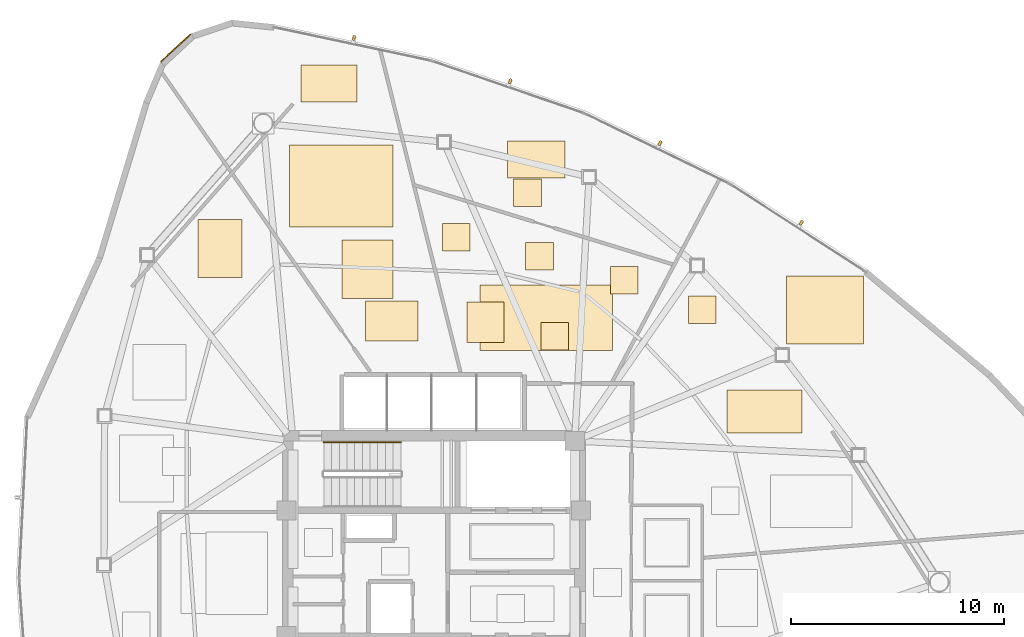
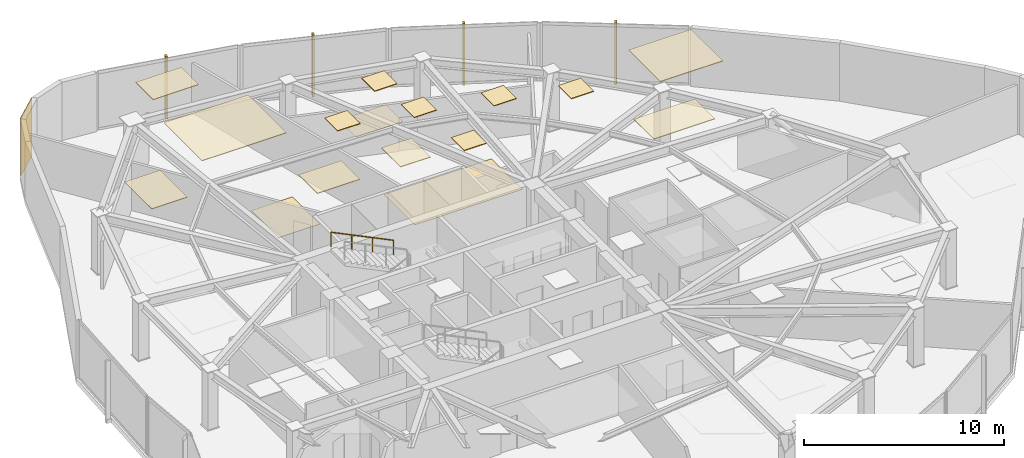
# One storey, part 17 of 17: 17 coverings, 4 shading devices, 1 railing.
"""IFC4 building model written with IfcOpenShell, lengths in metres."""

from ifc_helpers import new_model, si_unit, direction, frame, origin, origin_2d, place, context, subcontext, project, spatial, polyline, rectangle, outline, extrude, source, transform, mapped, material, layer, layer_set, type_object, type_shapes, element, save


model = new_model("IFC4")

# Units and contexts
model_context = context("Model", 3, precision=1e-05, world=origin(), true_north=direction((0.0, 1.0)))
body_context = subcontext(model_context, "Body", "Model", "MODEL_VIEW")
ifc_project = project(units=[si_unit("LENGTHUNIT", "METRE"), si_unit("AREAUNIT", "SQUARE_METRE"), si_unit("VOLUMEUNIT", "CUBIC_METRE"), si_unit("PLANEANGLEUNIT", "RADIAN"), si_unit("MASSUNIT", "GRAM", prefix="KILO")], contexts=[model_context])

# Site, building, storey
site_placement = place(None, origin())
site = spatial("IfcSite", under=ifc_project, at=site_placement, CompositionType="ELEMENT")
building_placement = place(site_placement, origin())
building = spatial("IfcBuilding", under=site, at=building_placement, Name="Tavelor Broadcast Tower", CompositionType="ELEMENT")
storey_placement = place(building_placement, frame((0.0, 0.0, 161.800048828125)))
storey = spatial("IfcBuildingStorey", under=building, at=storey_placement, Name="L38", CompositionType="ELEMENT", Elevation=161.800048828125)

# Covering
ifc_material_1 = material(Name="Copper-Bronze Anodized Aluminium", Category="aluminium")
ifc_layer_1 = layer(ifc_material_1, 0.050048828125)
ifc_layer_set_1 = layer_set([ifc_layer_1], Name="Copper-Bronze Anodized Aluminium")
covering_type_1 = type_object("IfcCoveringType", Name="Champagne-Bronze Corner Pier Metal Cladding 50 mm", PredefinedType="CLADDING", material=ifc_layer_set_1)
covering_1_placement = place(storey_placement, frame((37.909912109375, 69.615966796875, 0.02001953125), z_axis=(0.0, 0.0, 1.0), x_axis=(-0.734322509436, -0.678800745533, 0.0)))
element("IfcCovering", 1, at=covering_1_placement, inside=storey, type_object=covering_type_1, Name="L38 Champagne-Bronze Corner Cladding 03", PredefinedType="CLADDING", context=body_context, shape_type="SweptSolid", body=[
    extrude(rectangle(XDim=1.893798828125, YDim=0.050048828125, at=origin_2d()), origin(), (0.0, 0.0, 1.0), 3.510009765625),
])

# Railing
ifc_material_2 = material(Name="Steel S355", Category="steel")
railing_type = type_object("IfcRailingType", Name="Continuous Brushed Stainless Handrail 900 mm", PredefinedType="HANDRAIL", material=ifc_material_2)
railing_placement = place(storey_placement, frame((48.449951171875, 51.14990234375, 2.099853515625)))
element("IfcRailing", 2, at=railing_placement, inside=storey, type_object=railing_type, Name="L38 ST1 stair handrail 2", PredefinedType="HANDRAIL", context=body_context, shape_type="SweptSolid", body=[
    extrude(rectangle(XDim=0.048095703125, YDim=0.048095703125, at=origin_2d()), frame((0.0, 0.0, 0.8759765625), z_axis=(-0.899360859046, 0.0, 0.437207096483), x_axis=(0.0, -1.0, 0.0)), (0.0, 0.0, 1.0), 4.002685546875),
    extrude(rectangle(XDim=0.0419921875, YDim=0.0419921875, at=origin_2d()), origin(), (0.0, 0.0, 1.0), 0.851806640625),
    extrude(rectangle(XDim=0.0419921875, YDim=0.0419921875, at=origin_2d()), frame((-1.199951171875, 0.0, 0.583251953125)), (0.0, 0.0, 1.0), 0.851806640625),
    extrude(rectangle(XDim=0.0419921875, YDim=0.0419921875, at=origin_2d()), frame((-2.39990234375, 0.0, 1.166748046875)), (0.0, 0.0, 1.0), 0.851806640625),
    extrude(rectangle(XDim=0.0419921875, YDim=0.0419921875, at=origin_2d()), frame((-3.599853515625, 0.0, 1.75)), (0.0, 0.0, 1.0), 0.851806640625),
])

# Coverings
ifc_material_3 = material(Name="Acoustic Nylon Carpet Tile")
ifc_layer_2 = layer(ifc_material_3, 0.02001953125)
ifc_layer_set_2 = layer_set([ifc_layer_2], Name="Acoustic Nylon Carpet Tile")
covering_type_2 = type_object("IfcCoveringType", Name="Heavy-Duty Acoustic Broadcast Carpet Tile 20 mm", PredefinedType="FLOORING", material=ifc_layer_set_2)
covering_2_placement = place(storey_placement, origin())
element("IfcCovering", 3, at=covering_2_placement, inside=storey, type_object=covering_type_2, Name="L38 Broadcast Floor Finish 0564", PredefinedType="FLOORING", context=body_context, shape_type="SweptSolid", body=[
    extrude(outline(polyline([(45.705322265625, 57.868408203125), (48.085205078125, 57.868408203125), (48.085205078125, 60.608154296875), (45.705322265625, 60.608154296875), (45.705322265625, 57.868408203125)])), origin(), (0.0, 0.0, 1.0), 0.02001953125),
])
covering_3_placement = place(storey_placement, origin())
element("IfcCovering", 4, at=covering_3_placement, inside=storey, type_object=covering_type_2, Name="L38 Broadcast Floor Finish 0565", PredefinedType="FLOORING", context=body_context, shape_type="SweptSolid", body=[
    extrude(outline(polyline([(53.43994140625, 63.5244140625), (56.14990234375, 63.5244140625), (56.14990234375, 65.24609375), (53.43994140625, 65.24609375), (53.43994140625, 63.5244140625)])), origin(), (0.0, 0.0, 1.0), 0.02001953125),
])
covering_4_placement = place(storey_placement, origin())
element("IfcCovering", 5, at=covering_4_placement, inside=storey, type_object=covering_type_2, Name="L38 Broadcast Floor Finish 0567", PredefinedType="FLOORING", context=body_context, shape_type="SweptSolid", body=[
    extrude(outline(polyline([(52.162353515625, 55.43310546875), (58.364501953125, 55.43310546875), (58.364501953125, 58.5029296875), (52.162353515625, 58.5029296875), (52.162353515625, 55.43310546875)])), origin(), (0.0, 0.0, 1.0), 0.02001953125),
])
ifc_material_4 = material(Name="Acoustic Mineral Fibre Tile")
ifc_layer_3 = layer(ifc_material_4, 0.0400390625)
ifc_layer_set_3 = layer_set([ifc_layer_3], Name="Acoustic Mineral Fibre Tile")
covering_type_3 = type_object("IfcCoveringType", Name="Suspended Acoustic Mineral-Fibre Office Ceiling 40 mm", PredefinedType="CEILING", material=ifc_layer_set_3)
covering_5_placement = place(storey_placement, frame((0.0, 0.0, 3.510009765625)))
element("IfcCovering", 6, at=covering_5_placement, inside=storey, type_object=covering_type_3, Name="L38 Suspended Acoustic Ceiling 1591", PredefinedType="CEILING", context=body_context, shape_type="SweptSolid", body=[
    extrude(outline(polyline([(38.953857421875, 58.85400390625), (41.003662109375, 58.85400390625), (41.003662109375, 61.569580078125), (38.953857421875, 61.569580078125), (38.953857421875, 58.85400390625)])), origin(), (0.0, 0.0, 1.0), 0.0400390625),
])
covering_6_placement = place(storey_placement, frame((0.0, 0.0, 3.510009765625)))
element("IfcCovering", 7, at=covering_6_placement, inside=storey, type_object=covering_type_3, Name="L38 Suspended Acoustic Ceiling 1594", PredefinedType="CEILING", context=body_context, shape_type="SweptSolid", body=[
    extrude(outline(polyline([(43.773193359375, 67.071044921875), (46.396240234375, 67.071044921875), (46.396240234375, 68.81298828125), (43.773193359375, 68.81298828125), (43.773193359375, 67.071044921875)])), origin(), (0.0, 0.0, 1.0), 0.0400390625),
])
covering_7_placement = place(storey_placement, frame((0.0, 0.0, 3.510009765625)))
element("IfcCovering", 8, at=covering_7_placement, inside=storey, type_object=covering_type_3, Name="L38 Suspended Acoustic Ceiling 1595", PredefinedType="CEILING", context=body_context, shape_type="SweptSolid", body=[
    extrude(outline(polyline([(43.22998046875, 61.234375), (48.097412109375, 61.234375), (48.097412109375, 65.05712890625), (43.22998046875, 65.05712890625), (43.22998046875, 61.234375)])), origin(), (0.0, 0.0, 1.0), 0.0400390625),
])
covering_8_placement = place(storey_placement, frame((0.0, 0.0, 3.510009765625)))
element("IfcCovering", 9, at=covering_8_placement, inside=storey, type_object=covering_type_3, Name="L38 Suspended Acoustic Ceiling 1596", PredefinedType="CEILING", context=body_context, shape_type="SweptSolid", body=[
    extrude(outline(polyline([(46.797119140625, 55.88671875), (49.26220703125, 55.88671875), (49.26220703125, 57.76171875), (46.797119140625, 57.76171875), (46.797119140625, 55.88671875)])), origin(), (0.0, 0.0, 1.0), 0.0400390625),
])
covering_9_placement = place(storey_placement, frame((0.0, 0.0, 3.510009765625)))
element("IfcCovering", 10, at=covering_9_placement, inside=storey, type_object=covering_type_3, Name="L38 Suspended Acoustic Ceiling 1597", PredefinedType="CEILING", context=body_context, shape_type="SweptSolid", body=[
    extrude(outline(polyline([(53.73291015625, 62.17919921875), (55.032958984375, 62.17919921875), (55.032958984375, 63.479248046875), (53.73291015625, 63.479248046875), (53.73291015625, 62.17919921875)])), origin(), (0.0, 0.0, 1.0), 0.0400390625),
])
covering_10_placement = place(storey_placement, frame((0.0, 0.0, 3.510009765625)))
element("IfcCovering", 11, at=covering_10_placement, inside=storey, type_object=covering_type_3, Name="L38 Suspended Acoustic Ceiling 1598", PredefinedType="CEILING", context=body_context, shape_type="SweptSolid", body=[
    extrude(outline(polyline([(66.51708984375, 55.755615234375), (70.126220703125, 55.755615234375), (70.126220703125, 58.933349609375), (66.51708984375, 58.933349609375), (66.51708984375, 55.755615234375)])), origin(), (0.0, 0.0, 1.0), 0.0400390625),
])
covering_11_placement = place(storey_placement, frame((0.0, 0.0, 3.510009765625)))
element("IfcCovering", 12, at=covering_11_placement, inside=storey, type_object=covering_type_3, Name="L38 Suspended Acoustic Ceiling 1599", PredefinedType="CEILING", context=body_context, shape_type="SweptSolid", body=[
    extrude(outline(polyline([(63.724365234375, 51.583740234375), (67.2587890625, 51.583740234375), (67.2587890625, 53.588134765625), (63.724365234375, 53.588134765625), (63.724365234375, 51.583740234375)])), origin(), (0.0, 0.0, 1.0), 0.0400390625),
])
covering_12_placement = place(storey_placement, frame((0.0, 0.0, 3.510009765625)))
element("IfcCovering", 13, at=covering_12_placement, inside=storey, type_object=covering_type_3, Name="L38 Suspended Acoustic Ceiling 1602", PredefinedType="CEILING", context=body_context, shape_type="SweptSolid", body=[
    extrude(outline(polyline([(61.927734375, 56.70068359375), (63.227783203125, 56.70068359375), (63.227783203125, 58.00048828125), (61.927734375, 58.00048828125), (61.927734375, 56.70068359375)])), origin(), (0.0, 0.0, 1.0), 0.0400390625),
])
covering_13_placement = place(storey_placement, frame((0.0, 0.0, 3.510009765625)))
element("IfcCovering", 14, at=covering_13_placement, inside=storey, type_object=covering_type_3, Name="L38 Suspended Acoustic Ceiling 1607", PredefinedType="CEILING", context=body_context, shape_type="SweptSolid", body=[
    extrude(outline(polyline([(50.404296875, 60.100341796875), (51.704345703125, 60.100341796875), (51.704345703125, 61.400390625), (50.404296875, 61.400390625), (50.404296875, 60.100341796875)])), origin(), (0.0, 0.0, 1.0), 0.0400390625),
])
covering_14_placement = place(storey_placement, frame((0.0, 0.0, 3.510009765625)))
element("IfcCovering", 15, at=covering_14_placement, inside=storey, type_object=covering_type_3, Name="L38 Suspended Acoustic Ceiling 1608", PredefinedType="CEILING", context=body_context, shape_type="SweptSolid", body=[
    extrude(outline(polyline([(54.302734375, 59.20361328125), (55.602783203125, 59.20361328125), (55.602783203125, 60.503662109375), (54.302734375, 60.503662109375), (54.302734375, 59.20361328125)])), origin(), (0.0, 0.0, 1.0), 0.0400390625),
])
covering_15_placement = place(storey_placement, frame((0.0, 0.0, 3.510009765625)))
element("IfcCovering", 16, at=covering_15_placement, inside=storey, type_object=covering_type_3, Name="L38 Suspended Acoustic Ceiling 1609", PredefinedType="CEILING", context=body_context, shape_type="SweptSolid", body=[
    extrude(outline(polyline([(58.266845703125, 58.08544921875), (59.56689453125, 58.08544921875), (59.56689453125, 59.385498046875), (58.266845703125, 59.385498046875), (58.266845703125, 58.08544921875)])), origin(), (0.0, 0.0, 1.0), 0.0400390625),
])
covering_16_placement = place(storey_placement, frame((0.0, 0.0, 3.510009765625)))
element("IfcCovering", 17, at=covering_16_placement, inside=storey, type_object=covering_type_3, Name="L38 Suspended Acoustic Ceiling 1610", PredefinedType="CEILING", context=body_context, shape_type="SweptSolid", body=[
    extrude(outline(polyline([(55.0205078125, 55.454833984375), (56.3203125, 55.454833984375), (56.3203125, 56.7548828125), (55.0205078125, 56.7548828125), (55.0205078125, 55.454833984375)])), origin(), (0.0, 0.0, 1.0), 0.0400390625),
])
covering_17_placement = place(storey_placement, frame((0.0, 0.0, 3.510009765625)))
element("IfcCovering", 18, at=covering_17_placement, inside=storey, type_object=covering_type_3, Name="L38 Suspended Acoustic Ceiling 1611", PredefinedType="CEILING", context=body_context, shape_type="SweptSolid", body=[
    extrude(outline(polyline([(51.55029296875, 55.80859375), (53.297119140625, 55.80859375), (53.297119140625, 57.71826171875), (51.55029296875, 57.71826171875), (51.55029296875, 55.80859375)])), origin(), (0.0, 0.0, 1.0), 0.0400390625),
])

# Shading devices
ifc_material_5 = material(Name="Kiln-Fired Glazed Terracotta", Category="masonry")
shading_device_type = type_object("IfcShadingDeviceType", Name="Extruded Terracotta Baguette Sun-Screen 110x240", PredefinedType="JALOUSIE", material=ifc_material_5)
shared_shape = source(origin(), body_context, "Body", "SweptSolid", [
    extrude(rectangle(XDim=0.110107421875, YDim=0.239990234375, at=origin_2d()), origin(), (0.0, 0.0, 1.0), 3.7900390625),
])
type_shapes(shading_device_type, [shared_shape])
for number, where, z_axis, x_axis, name in (
    (19, (67.2158203125, 61.4287109375, -0.260009765625), (0.0, 0.0, 1.0), (-0.839809417029, 0.542881334243, 0.0), "L38 Terracotta Baguette Fin 393"),
    (20, (60.59912109375, 65.15673828125, -0.260009765625), (0.0, 0.0, 1.0), (-0.899405251566, 0.437115766651, 0.0), "L38 Terracotta Baguette Fin 394"),
    (21, (53.580078125, 68.056884765625, -0.260009765625), (0.0, 0.0, 1.0), (-0.945688913069, 0.325073037483, 0.0), "L38 Terracotta Baguette Fin 395"),
    (22, (46.261474609375, 70.08642578125, -0.260009765625), (0.0, 0.0, 1.0), (-0.978074966272, 0.208253116068, 0.0), "L38 Terracotta Baguette Fin 396"),
):
    element("IfcShadingDevice", number, at=place(storey_placement, frame(where, z_axis=z_axis, x_axis=x_axis)), inside=storey, type_object=shading_device_type, Name=name, PredefinedType="JALOUSIE", context=body_context, shape_type="MappedRepresentation", body=[
        mapped(shared_shape, transform((0.0, 0.0, 0.0), scale=1.0)),
    ])

save(model, "model.ifc")
